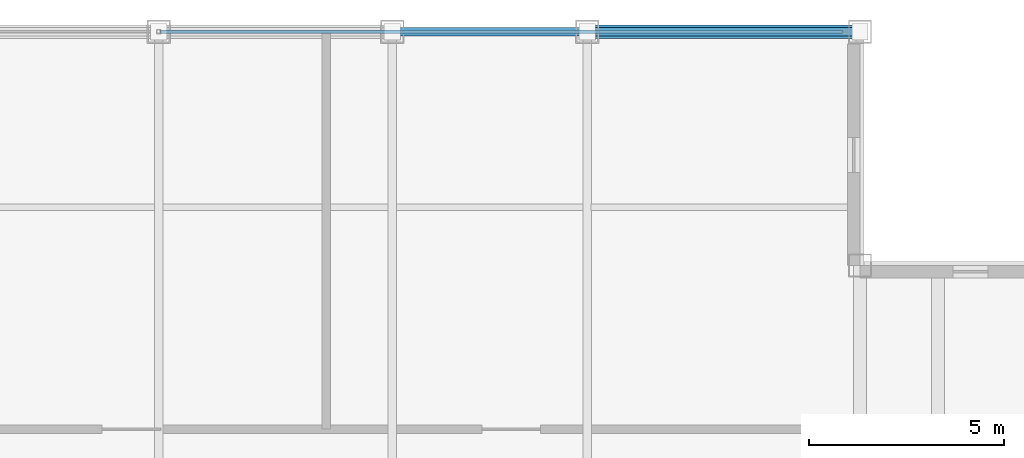
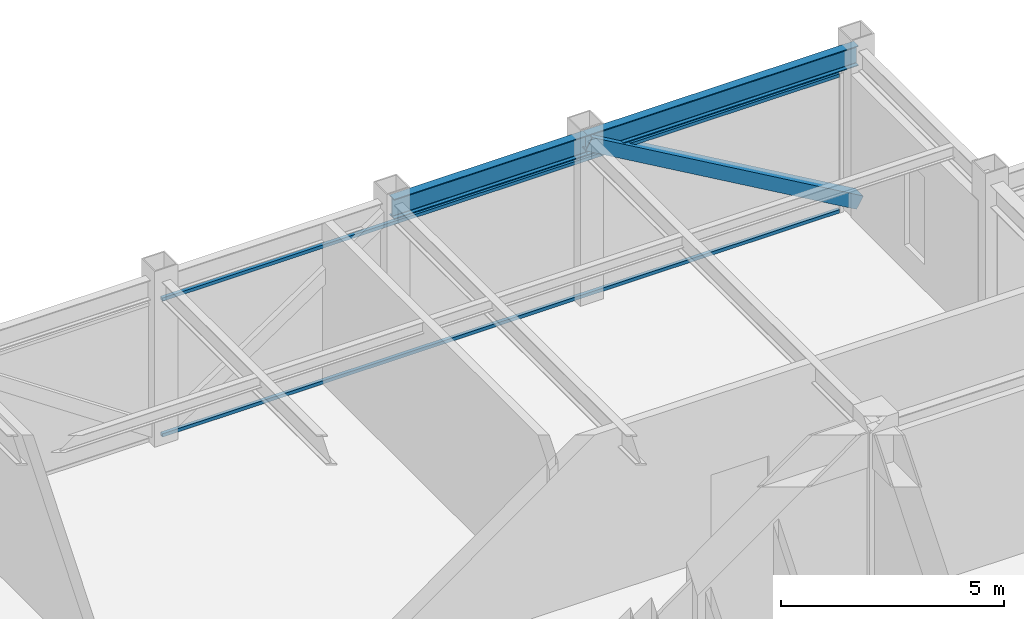
# One storey, part 21 of 27: 3 members, 2 beams, 1 element without a shape of its own.
"""IFC4 building model written with IfcOpenShell, lengths in metres."""

from ifc_helpers import new_model, si_unit, direction, frame, origin, origin_2d, place, context, subcontext, project, spatial, hollow_rectangle, i_section, extrude, source, transform, mapped, material, material_profile, profile_set, type_object, element, aggregate, save


model = new_model("IFC4")

# Units and contexts
model_context = context("Model", 3, precision=1e-05, world=origin(), true_north=direction((0.0, 1.0)))
body_context = subcontext(model_context, "Body", "Model", "MODEL_VIEW")
ifc_project = project(units=[si_unit("LENGTHUNIT", "METRE"), si_unit("AREAUNIT", "SQUARE_METRE"), si_unit("VOLUMEUNIT", "CUBIC_METRE"), si_unit("PLANEANGLEUNIT", "RADIAN"), si_unit("MASSUNIT", "GRAM", prefix="KILO")], contexts=[model_context])

# Site, building, storey
site_placement = place(None, origin())
site = spatial("IfcSite", under=ifc_project, at=site_placement, CompositionType="ELEMENT")
building_placement = place(site_placement, origin())
building = spatial("IfcBuilding", under=site, at=building_placement, Name="Khorayat Bourse Tower", CompositionType="ELEMENT")
storey_placement = place(building_placement, frame((0.0, 0.0, 380.300048828125)))
storey = spatial("IfcBuildingStorey", under=building, at=storey_placement, Name="L90", CompositionType="ELEMENT", Elevation=380.300048828125)

# Beams
ifc_material_1 = material(Name="Steel ASTM A992 Grade 50", Category="steel")
ifc_material_profile_1 = material_profile(ifc_material_1, i_section(OverallWidth=0.214111328125, OverallDepth=0.549072265625, WebThickness=0.0146484375, FlangeThickness=0.023681640625, FilletRadius=0.013916015625, at=origin_2d()), Name="W530X138")
ifc_profile_set_1 = profile_set([ifc_material_profile_1], Name="Steel ASTM A992 Grade 50")
beam_type = type_object("IfcBeamType", Name="BM-SPAN-530", PredefinedType="SPANDREL", material=ifc_profile_set_1)
shared_shape_1 = source(origin(), body_context, "Body", "SweptSolid", [
    extrude(i_section(OverallWidth=0.214111328125, OverallDepth=0.549072265625, WebThickness=0.0146484375, FlangeThickness=0.023681640625, FilletRadius=0.013916015625, at=origin_2d()), origin(), (0.0, 0.0, 1.0), 5.0),
])
beam_1_placement = place(storey_placement, frame((6.0, 24.0, 4.175537109375), z_axis=(1.0, 0.0, 0.0), x_axis=(0.0, 1.0, 0.0)))
element("IfcBeam", 1, at=beam_1_placement, inside=storey, type_object=beam_type, Name="L90 BM-SPAN-530 BM-L90-SPN-041", PredefinedType="SPANDREL", context=body_context, shape_type="MappedRepresentation", body=[
    mapped(shared_shape_1, transform((0.0, 0.0, 0.0), scale=1.0)),
])
shared_shape_2 = source(origin(), body_context, "Body", "SweptSolid", [
    extrude(i_section(OverallWidth=0.214111328125, OverallDepth=0.549072265625, WebThickness=0.0146484375, FlangeThickness=0.023681640625, FilletRadius=0.013916015625, at=origin_2d()), origin(), (0.0, 0.0, 1.0), 7.0),
])
beam_2_placement = place(storey_placement, frame((11.0, 24.0, 4.175537109375), z_axis=(1.0, 0.0, 0.0), x_axis=(0.0, 1.0, 0.0)))
element("IfcBeam", 2, at=beam_2_placement, inside=storey, type_object=beam_type, Name="L90 BM-SPAN-530 BM-L90-SPN-040", PredefinedType="SPANDREL", context=body_context, shape_type="MappedRepresentation", body=[
    mapped(shared_shape_2, transform((0.0, 0.0, 0.0), scale=1.0)),
])

# Member
ifc_material_2 = material(Name="Steel EN 10025-2 S355J2", Category="steel")
ifc_material_profile_2 = material_profile(ifc_material_2, hollow_rectangle(XDim=0.35009765625, YDim=0.35009765625, WallThickness=0.02001953125, at=origin_2d()), Name="HSS 350x350x20")
ifc_profile_set_2 = profile_set([ifc_material_profile_2], Name="Steel EN 10025-2 S355J2")
member_type_1 = type_object("IfcMemberType", Name="MBR-CROWN-350", PredefinedType="USERDEFINED", material=ifc_profile_set_2)
shared_shape_3 = source(origin(), body_context, "Body", "SweptSolid", [
    extrude(hollow_rectangle(XDim=0.35009765625, YDim=0.35009765625, WallThickness=0.02001953125, at=origin_2d()), origin(), (0.0, 0.0, 1.0), 8.087158203125),
])
member_1_placement = place(storey_placement, frame((11.0, 24.0, 4.25), z_axis=(0.865564731219, 0.0, -0.500797060763), x_axis=(0.0, 1.0, 0.0)))
element("IfcMember", 3, at=member_1_placement, inside=storey, type_object=member_type_1, Name="L90 Lantern Crown Frame Member 08", ObjectType="CROWN FRAME", PredefinedType="USERDEFINED", context=body_context, shape_type="MappedRepresentation", body=[
    mapped(shared_shape_3, transform((0.0, 0.0, 0.0), scale=1.0)),
])

# Curtain wall, members
ifc_material_3 = material(Name="Aluminium EN AW-6063 T6", Category="aluminium")
curtain_wall_type = type_object("IfcCurtainWallType", Name="CW-SYS-07", PredefinedType="NOTDEFINED", material=ifc_material_3)
curtain_wall_placement = place(storey_placement, origin())
curtain_wall = element("IfcCurtainWall", 4, at=curtain_wall_placement, inside=storey, type_object=curtain_wall_type, Name="L90 Curtain Wall CW-L90-N1", PredefinedType="NOTDEFINED")
ifc_material_profile_3 = material_profile(ifc_material_3, hollow_rectangle(XDim=0.090087890625, YDim=0.090087890625, WallThickness=0.00390625, at=origin_2d()), Name="ALU 90x90x4")
ifc_profile_set_3 = profile_set([ifc_material_profile_3], Name="Aluminium EN AW-6063 T6")
member_type_2 = type_object("IfcMemberType", Name="CWT-HORZ-90", PredefinedType="USERDEFINED", material=ifc_profile_set_3)
shared_shape_4 = source(origin(), body_context, "Body", "SweptSolid", [
    extrude(hollow_rectangle(XDim=0.090087890625, YDim=0.090087890625, WallThickness=0.00390625, at=origin_2d()), origin(), (0.0, 0.0, 1.0), 17.5),
])
member_2_placement = place(storey_placement, frame((0.050048828125, 24.0, 0.044921875), z_axis=(1.0, 0.0, 0.0), x_axis=(0.0, 1.0, 0.0)))
member_2 = element("IfcMember", 5, at=member_2_placement, type_object=member_type_2, Name="CW-L90-N1 Horizontal Transom 2-1", ObjectType="TRANSOM", PredefinedType="USERDEFINED", context=body_context, shape_type="MappedRepresentation", body=[
    mapped(shared_shape_4, transform((0.0, 0.0, 0.0), scale=1.0)),
])
member_3_placement = place(storey_placement, frame((0.050048828125, 24.0, 3.7548828125), z_axis=(1.0, 0.0, 0.0), x_axis=(0.0, 1.0, 0.0)))
member_3 = element("IfcMember", 6, at=member_3_placement, type_object=member_type_2, Name="CW-L90-N1 Horizontal Transom 2-2", ObjectType="TRANSOM", PredefinedType="USERDEFINED", context=body_context, shape_type="MappedRepresentation", body=[
    mapped(shared_shape_4, transform((0.0, 0.0, 0.0), scale=1.0)),
])
aggregate(curtain_wall, [member_2, member_3])

save(model, "model.ifc")
